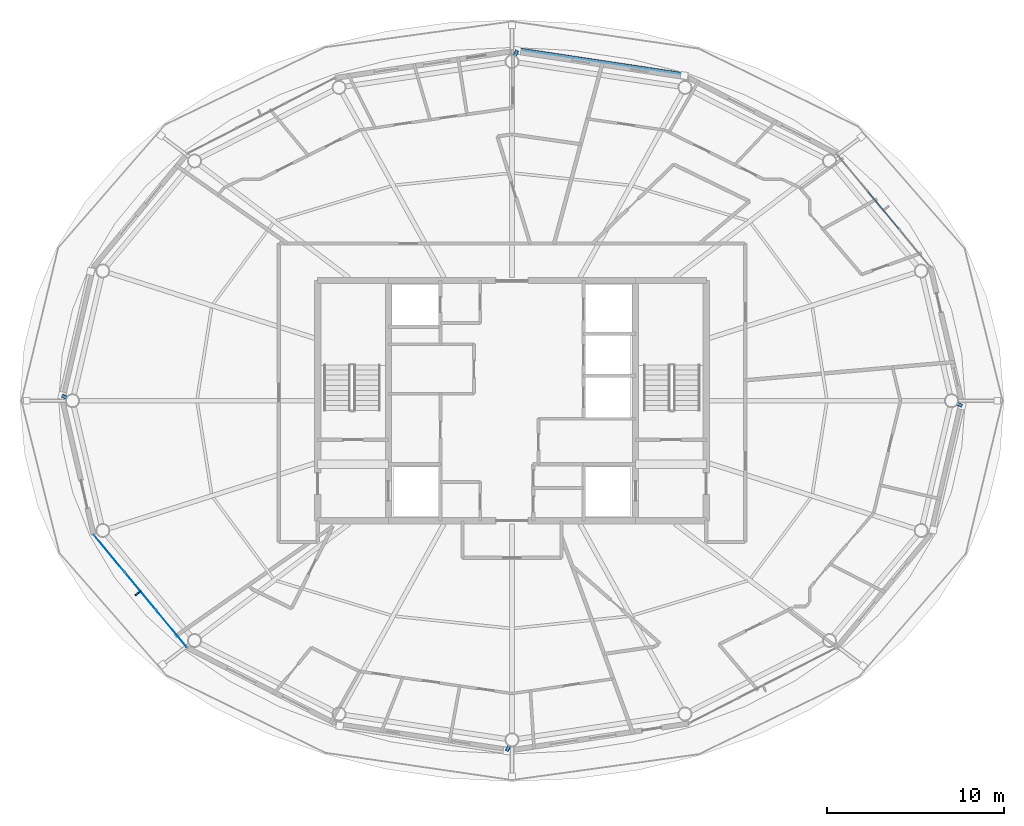
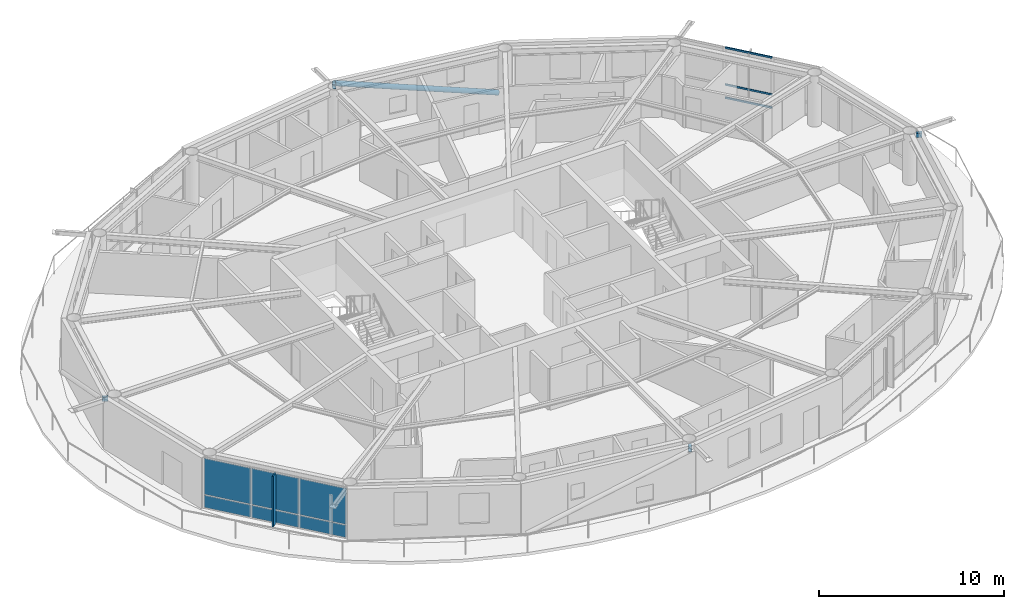
# One storey, part 12 of 23: 8 members, 7 plates, 2 elements without a shape of their own.
"""IFC4 building model written with IfcOpenShell, lengths in metres."""

from ifc_helpers import new_model, si_unit, direction, frame, origin, origin_2d, place, context, subcontext, project, spatial, rectangle, hollow_rectangle, hollow_circle, extrude, material, layer, layer_set, material_profile, profile_set, type_object, element, aggregate, save


model = new_model("IFC4")

# Units and contexts
model_context = context("Model", 3, precision=1e-05, world=origin(), true_north=direction((0.0, 1.0)))
body_context = subcontext(model_context, "Body", "Model", "MODEL_VIEW")
ifc_project = project(units=[si_unit("LENGTHUNIT", "METRE"), si_unit("AREAUNIT", "SQUARE_METRE"), si_unit("VOLUMEUNIT", "CUBIC_METRE"), si_unit("PLANEANGLEUNIT", "RADIAN"), si_unit("MASSUNIT", "GRAM", prefix="KILO")], contexts=[model_context])

# Site, building, storey
site_placement = place(None, origin())
site = spatial("IfcSite", under=ifc_project, at=site_placement, CompositionType="ELEMENT")
building_placement = place(site_placement, origin())
building = spatial("IfcBuilding", under=site, at=building_placement, Name="Sarneth Arch Tower", CompositionType="ELEMENT")
storey_placement = place(building_placement, frame((0.0, 0.0, 273.0)))
storey = spatial("IfcBuildingStorey", under=building, at=storey_placement, Name="L70", CompositionType="ELEMENT", Elevation=273.0)

# Curtain wall, members
ifc_material_1 = material(Name="Anodised aluminium Type AA25 and solar-control low-e laminated IGU", Category="aluminium")
ifc_layer_1 = layer(ifc_material_1, 0.179931640625)
ifc_layer_set_1 = layer_set([ifc_layer_1], Name="Anodised aluminium Type AA25 and solar-control low-e laminated IGU")
curtain_wall_type = type_object("IfcCurtainWallType", Name="CW-RES-HIGH", PredefinedType="NOTDEFINED", material=ifc_layer_set_1)
curtain_wall_1_placement = place(storey_placement, origin())
curtain_wall_1 = element("IfcCurtainWall", 1, at=curtain_wall_1_placement, inside=storey, type_object=curtain_wall_type, Name="L70 Unitised curtain wall facet 02", PredefinedType="NOTDEFINED")
ifc_material_2 = material(Name="Anodised Aluminium 6063-T6", Category="aluminium")
ifc_material_profile_1 = material_profile(ifc_material_2, hollow_rectangle(XDim=0.06005859375, YDim=0.1201171875, WallThickness=0.00390625, at=origin_2d()), Name="AL-TRAN-120x60x4")
ifc_profile_set_1 = profile_set([ifc_material_profile_1], Name="Anodised Aluminium 6063-T6")
member_type_1 = type_object("IfcMemberType", Name="CW-TRANSOM", PredefinedType="USERDEFINED", material=ifc_profile_set_1)
member_1_placement = place(storey_placement, frame((69.904296875, 51.731689453125, 0.030029296875), z_axis=(-0.637617371902, 0.770353222261, 0.0), x_axis=(-0.770353222261, -0.637617371902, 0.0)))
member_1 = element("IfcMember", 2, at=member_1_placement, type_object=member_type_1, Name="CW-SYS-6 transom 2.1", ObjectType="TRANSOM", PredefinedType="USERDEFINED", context=body_context, shape_type="SweptSolid", body=[
    extrude(hollow_rectangle(XDim=0.06005859375, YDim=0.1201171875, WallThickness=0.00390625, at=origin_2d()), origin(), (0.0, 0.0, 1.0), 2.716552734375),
])
member_2_placement = place(storey_placement, frame((69.904296875, 51.731689453125, 0.89990234375), z_axis=(-0.637617371902, 0.770353222261, 0.0), x_axis=(-0.770353222261, -0.637617371902, 0.0)))
member_2 = element("IfcMember", 3, at=member_2_placement, type_object=member_type_1, Name="CW-SYS-6 transom 2.2", ObjectType="TRANSOM", PredefinedType="USERDEFINED", context=body_context, shape_type="SweptSolid", body=[
    extrude(hollow_rectangle(XDim=0.06005859375, YDim=0.1201171875, WallThickness=0.00390625, at=origin_2d()), origin(), (0.0, 0.0, 1.0), 2.716552734375),
])
member_3_placement = place(storey_placement, frame((69.904296875, 51.731689453125, 3.340087890625), z_axis=(-0.637617371902, 0.770353222261, 0.0), x_axis=(-0.770353222261, -0.637617371902, 0.0)))
member_3 = element("IfcMember", 4, at=member_3_placement, type_object=member_type_1, Name="CW-SYS-6 transom 2.3", ObjectType="TRANSOM", PredefinedType="USERDEFINED", context=body_context, shape_type="SweptSolid", body=[
    extrude(hollow_rectangle(XDim=0.06005859375, YDim=0.1201171875, WallThickness=0.00390625, at=origin_2d()), origin(), (0.0, 0.0, 1.0), 2.716552734375),
])
aggregate(curtain_wall_1, [member_1, member_2, member_3])

# Members
ifc_material_3 = material(Name="Steel S355", Category="steel")
ifc_material_profile_2 = material_profile(ifc_material_3, hollow_rectangle(XDim=0.199951171875, YDim=0.300048828125, WallThickness=0.012451171875, InnerFilletRadius=0.018798828125, OuterFilletRadius=0.03125, at=origin_2d()), Name="RHS300x200x12.5")
ifc_profile_set_2 = profile_set([ifc_material_profile_2], Name="Steel S355")
member_type_2 = type_object("IfcMemberType", Name="MEM-CANT-STRUT", PredefinedType="STRUT", material=ifc_profile_set_2)
member_4_placement = place(storey_placement, frame((48.14501953125, 61.5107421875, 3.09228515625), z_axis=(0.423071936831, 0.906096096596, 0.0), x_axis=(-0.906096096596, 0.423071936831, 0.0)))
element("IfcMember", 5, at=member_4_placement, inside=storey, type_object=member_type_2, Name="L70 Exoskeleton brace node strut 04B", PredefinedType="STRUT", context=body_context, shape_type="SweptSolid", body=[
    extrude(hollow_rectangle(XDim=0.199951171875, YDim=0.300048828125, WallThickness=0.012451171875, InnerFilletRadius=0.018798828125, OuterFilletRadius=0.03125, at=origin_2d()), origin(), (0.0, 0.0, 1.0), 0.3583984375),
])
member_5_placement = place(storey_placement, frame((22.80908203125, 42.151611328125, 3.09228515625), z_axis=(-0.897170676041, 0.441684025128, 0.0), x_axis=(-0.441684025128, -0.897170676041, 0.0)))
element("IfcMember", 6, at=member_5_placement, inside=storey, type_object=member_type_2, Name="L70 Exoskeleton brace node strut 08B", PredefinedType="STRUT", context=body_context, shape_type="SweptSolid", body=[
    extrude(hollow_rectangle(XDim=0.199951171875, YDim=0.300048828125, WallThickness=0.012451171875, InnerFilletRadius=0.018798828125, OuterFilletRadius=0.03125, at=origin_2d()), origin(), (0.0, 0.0, 1.0), 0.318359375),
])
member_6_placement = place(storey_placement, frame((47.85498046875, 22.4892578125, 3.09228515625), z_axis=(-0.423071936831, -0.906096096596, 0.0), x_axis=(0.906096096596, -0.423071936831, 0.0)))
element("IfcMember", 7, at=member_6_placement, inside=storey, type_object=member_type_2, Name="L70 Exoskeleton brace node strut 12B", PredefinedType="STRUT", context=body_context, shape_type="SweptSolid", body=[
    extrude(hollow_rectangle(XDim=0.199951171875, YDim=0.300048828125, WallThickness=0.012451171875, InnerFilletRadius=0.018798828125, OuterFilletRadius=0.03125, at=origin_2d()), origin(), (0.0, 0.0, 1.0), 0.3583984375),
])
member_7_placement = place(storey_placement, frame((73.19091796875, 41.848388671875, 3.09228515625), z_axis=(0.897170676041, -0.441684025128, 0.0), x_axis=(0.441684025128, 0.897170676041, 0.0)))
element("IfcMember", 8, at=member_7_placement, inside=storey, type_object=member_type_2, Name="L70 Exoskeleton brace node strut 16B", PredefinedType="STRUT", context=body_context, shape_type="SweptSolid", body=[
    extrude(hollow_rectangle(XDim=0.199951171875, YDim=0.300048828125, WallThickness=0.012451171875, InnerFilletRadius=0.018798828125, OuterFilletRadius=0.03125, at=origin_2d()), origin(), (0.0, 0.0, 1.0), 0.318359375),
])
ifc_material_4 = material(Name="Steel S355", Category="steel")
ifc_material_profile_3 = material_profile(ifc_material_4, hollow_circle(Radius=0.162109375, WallThickness=0.012451171875, at=origin_2d()), Name="CHS324x12.5")
ifc_profile_set_3 = profile_set([ifc_material_profile_3], Name="Steel S355")
member_type_3 = type_object("IfcMemberType", Name="MEM-DIAG-BR3", PredefinedType="BRACE", material=ifc_profile_set_3)
member_8_placement = place(storey_placement, frame((57.754150390625, 60.411376953125, 0.02001953125), z_axis=(-0.941471055877, 0.141762627625, 0.305835917372), x_axis=(-0.148897148305, -0.988852688335, 0.0)))
element("IfcMember", 9, at=member_8_placement, inside=storey, type_object=member_type_3, Name="L70 Perimeter frame diagonal 04", PredefinedType="BRACE", context=body_context, shape_type="SweptSolid", body=[
    extrude(hollow_circle(Radius=0.162109375, WallThickness=0.012451171875, at=origin_2d()), origin(), (0.0, 0.0, 1.0), 10.04541015625),
])

# Curtain wall, plates
curtain_wall_2_placement = place(storey_placement, origin())
curtain_wall_2 = element("IfcCurtainWall", 10, at=curtain_wall_2_placement, inside=storey, type_object=curtain_wall_type, Name="L70 Unitised curtain wall facet 10", PredefinedType="NOTDEFINED")
ifc_material_5 = material(Name="Solar-control low-e laminated IGU", Category="glass")
ifc_layer_2 = layer(ifc_material_5, 0.028076171875)
ifc_layer_set_2 = layer_set([ifc_layer_2], Name="Solar-control low-e laminated IGU")
plate_type_1 = type_object("IfcPlateType", Name="CW-PANEL", PredefinedType="CURTAIN_PANEL", material=ifc_layer_set_2)
plate_1_placement = place(storey_placement, frame((25.200927734375, 33.349365234375, 0.06005859375), z_axis=(0.0, 0.0, 1.0), x_axis=(0.637610094184, -0.770359245933, 0.0)))
plate_1 = element("IfcPlate", 11, at=plate_1_placement, type_object=plate_type_1, Name="Curtain wall glazed vision pane CW-L70-F10/P00-00", PredefinedType="CURTAIN_PANEL", context=body_context, shape_type="SweptSolid", body=[
    extrude(rectangle(XDim=2.686767578125, YDim=0.028076171875, at=origin_2d()), origin(), (0.0, 0.0, 1.0), 0.81005859375),
])
plate_2_placement = place(storey_placement, frame((25.200927734375, 33.349365234375, 0.93017578125), z_axis=(0.0, 0.0, 1.0), x_axis=(0.637610094184, -0.770359245933, 0.0)))
plate_2 = element("IfcPlate", 12, at=plate_2_placement, type_object=plate_type_1, Name="Curtain wall glazed vision pane CW-L70-F10/P00-01", PredefinedType="CURTAIN_PANEL", context=body_context, shape_type="SweptSolid", body=[
    extrude(rectangle(XDim=2.686767578125, YDim=0.028076171875, at=origin_2d()), origin(), (0.0, 0.0, 1.0), 2.3798828125),
])
plate_3_placement = place(storey_placement, frame((26.9619140625, 31.221923828125, 0.06005859375), z_axis=(0.0, 0.0, 1.0), x_axis=(0.637610094184, -0.770359245933, 0.0)))
plate_3 = element("IfcPlate", 13, at=plate_3_placement, type_object=plate_type_1, Name="Curtain wall glazed vision pane CW-L70-F10/P01-00", PredefinedType="CURTAIN_PANEL", context=body_context, shape_type="SweptSolid", body=[
    extrude(rectangle(XDim=2.716552734375, YDim=0.028076171875, at=origin_2d()), origin(), (0.0, 0.0, 1.0), 0.81005859375),
])
plate_4_placement = place(storey_placement, frame((26.9619140625, 31.221923828125, 0.93017578125), z_axis=(0.0, 0.0, 1.0), x_axis=(0.637610094184, -0.770359245933, 0.0)))
plate_4 = element("IfcPlate", 14, at=plate_4_placement, type_object=plate_type_1, Name="Curtain wall glazed vision pane CW-L70-F10/P01-01", PredefinedType="CURTAIN_PANEL", context=body_context, shape_type="SweptSolid", body=[
    extrude(rectangle(XDim=2.716552734375, YDim=0.028076171875, at=origin_2d()), origin(), (0.0, 0.0, 1.0), 2.3798828125),
])
plate_5_placement = place(storey_placement, frame((28.72265625, 29.094482421875, 0.06005859375), z_axis=(0.0, 0.0, 1.0), x_axis=(0.637610094184, -0.770359245933, 0.0)))
plate_5 = element("IfcPlate", 15, at=plate_5_placement, type_object=plate_type_1, Name="Curtain wall glazed vision pane CW-L70-F10/P02-00", PredefinedType="CURTAIN_PANEL", context=body_context, shape_type="SweptSolid", body=[
    extrude(rectangle(XDim=2.686767578125, YDim=0.028076171875, at=origin_2d()), origin(), (0.0, 0.0, 1.0), 0.81005859375),
])
plate_6_placement = place(storey_placement, frame((28.72265625, 29.094482421875, 0.93017578125), z_axis=(0.0, 0.0, 1.0), x_axis=(0.637610094184, -0.770359245933, 0.0)))
plate_6 = element("IfcPlate", 16, at=plate_6_placement, type_object=plate_type_1, Name="Curtain wall glazed vision pane CW-L70-F10/P02-01", PredefinedType="CURTAIN_PANEL", context=body_context, shape_type="SweptSolid", body=[
    extrude(rectangle(XDim=2.686767578125, YDim=0.028076171875, at=origin_2d()), origin(), (0.0, 0.0, 1.0), 2.3798828125),
])
aggregate(curtain_wall_2, [plate_1, plate_2, plate_3, plate_4, plate_5, plate_6])

# Plate
ifc_material_6 = material(Name="Extruded glazed terracotta baguette fin on Aluminium 6063-T6 carrier", Category="masonry")
ifc_layer_3 = layer(ifc_material_6, 0.080078125)
ifc_layer_set_3 = layer_set([ifc_layer_3], Name="Extruded glazed terracotta baguette fin on Aluminium 6063-T6 carrier")
plate_type_2 = type_object("IfcPlateType", Name="SHADE-TERRA-FIN", PredefinedType="SHEET", material=ifc_layer_set_3)
plate_7_placement = place(storey_placement, frame((26.830810546875, 31.113525390625, 0.010009765625), z_axis=(0.0, 0.0, 1.0), x_axis=(-0.770401979567, -0.63755845997, 0.0)))
element("IfcPlate", 17, at=plate_7_placement, inside=storey, type_object=plate_type_2, Name="L70 Terracotta vertical shading fin 10", PredefinedType="SHEET", context=body_context, shape_type="SweptSolid", body=[
    extrude(rectangle(XDim=0.419921875, YDim=0.080078125, at=origin_2d()), origin(), (0.0, 0.0, 1.0), 3.35009765625),
])

save(model, "model.ifc")
